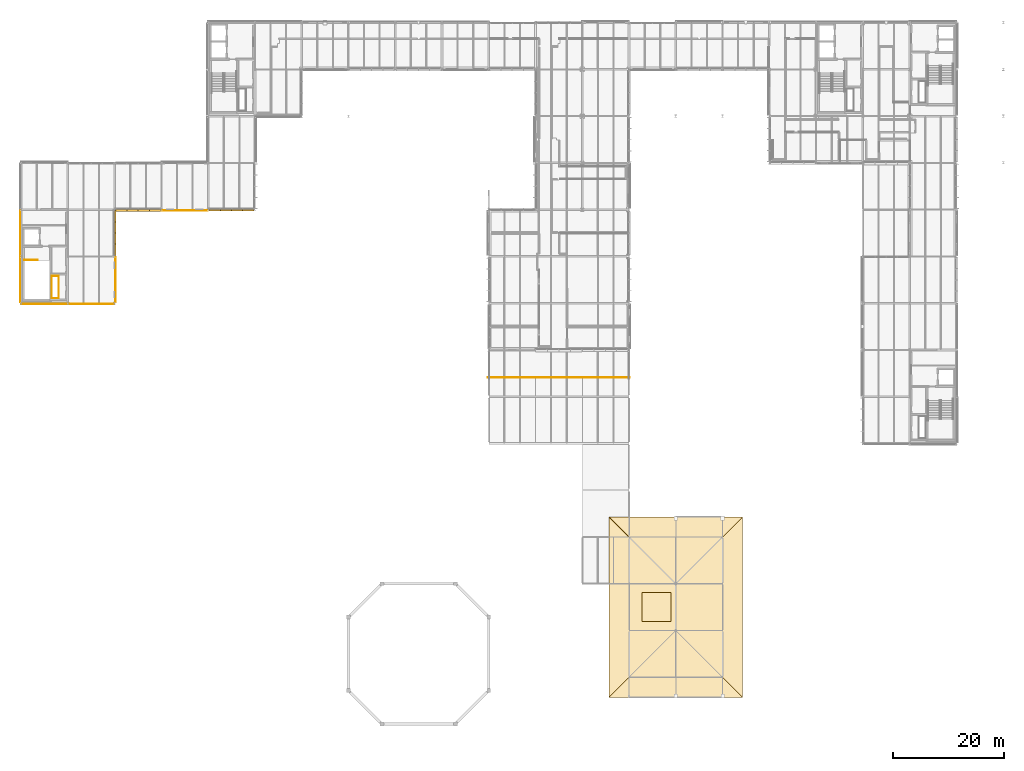
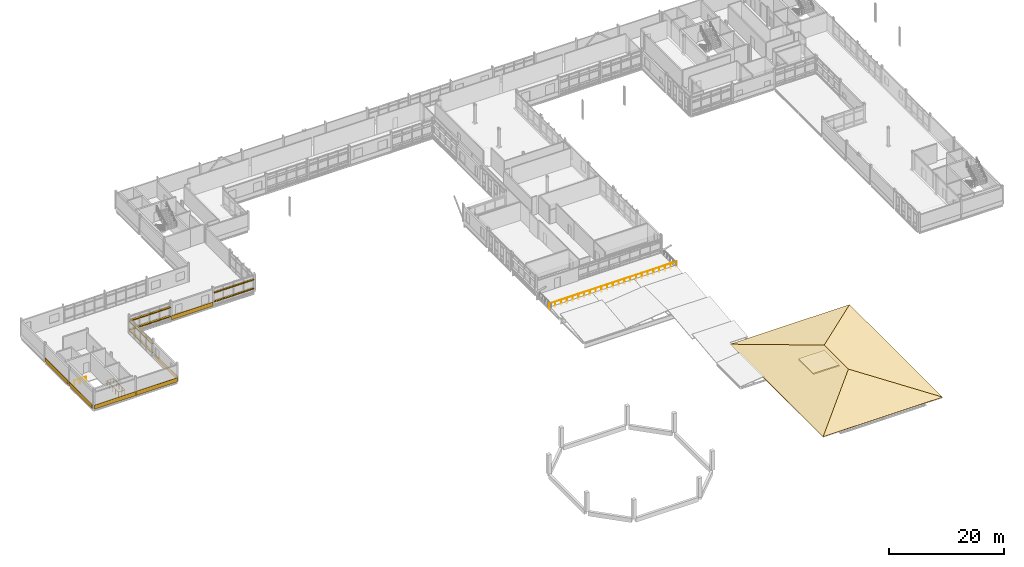
# One storey, part 92 of 103: 24 shading devices, 11 coverings, 3 railings.
"""IFC4 building model written with IfcOpenShell, lengths in metres."""

from ifc_helpers import new_model, si_unit, direction, frame, origin, origin_2d, place, context, subcontext, project, spatial, polyline, rectangle, circle, outline, extrude, material, layer, layer_set, type_object, element, save


model = new_model("IFC4")

# Units and contexts
model_context = context("Model", 3, precision=1e-05, world=origin(), true_north=direction((0.0, 1.0)))
body_context = subcontext(model_context, "Body", "Model", "MODEL_VIEW")
ifc_project = project(units=[si_unit("LENGTHUNIT", "METRE"), si_unit("AREAUNIT", "SQUARE_METRE"), si_unit("VOLUMEUNIT", "CUBIC_METRE"), si_unit("PLANEANGLEUNIT", "RADIAN"), si_unit("MASSUNIT", "GRAM", prefix="KILO")], contexts=[model_context])

# Site, building, storey
site_placement = place(None, origin())
site = spatial("IfcSite", under=ifc_project, at=site_placement, CompositionType="ELEMENT")
building_placement = place(site_placement, origin())
building = spatial("IfcBuilding", under=site, at=building_placement, Name="Mersafa Astral City Hall", CompositionType="ELEMENT")
storey_placement = place(building_placement, frame((0.0, 0.0, 18.0)))
storey = spatial("IfcBuildingStorey", under=building, at=storey_placement, Name="L04", CompositionType="ELEMENT", Elevation=18.0)

# Coverings
ifc_material_1 = material(Name="Cairo Mokattam buff limestone cladding", Category="masonry")
ifc_layer_1 = layer(ifc_material_1, 0.06005859375, Name="Cairo Mokattam buff limestone cladding")
ifc_layer_set_1 = layer_set([ifc_layer_1], Name="Cairo Mokattam buff limestone cladding — ENV-COV-LIMESTONE-60")
covering_type_1 = type_object("IfcCoveringType", Name="ENV-COV-LIMESTONE-60", PredefinedType="CLADDING", material=ifc_layer_set_1)
for number, where, z_axis, x_axis, name in (
    (1, (8.238037109375, 88.199951171875, 0.0), (0.0, 0.0, 1.0), (0.0, -1.0, 0.0), "L04 Cairo buff limestone rainscreen cladding 299"),
    (2, (8.24560546875, 79.800048828125, 0.0), (0.0, 0.0, 1.0), (0.0, -1.0, 0.0), "L04 Cairo buff limestone rainscreen cladding 300"),
):
    element("IfcCovering", number, at=place(storey_placement, frame(where, z_axis=z_axis, x_axis=x_axis)), inside=storey, type_object=covering_type_1, Name=name, PredefinedType="CLADDING", context=body_context, shape_type="SweptSolid", body=[
        extrude(rectangle(XDim=8.048095703125, YDim=0.06005859375, at=origin_2d()), origin(), (0.0, 0.0, 1.0), 0.860107421875),
    ])
for number, where, z_axis, x_axis, name in (
    (3, (12.60009765625, 75.452880859375, 0.0), (0.0, 0.0, 1.0), (1.0, 0.0, 0.0), "L04 Cairo buff limestone rainscreen cladding 301"),
    (4, (21.0, 75.46044921875, 0.0), (0.0, 0.0, 1.0), (1.0, 0.0, 0.0), "L04 Cairo buff limestone rainscreen cladding 302"),
):
    element("IfcCovering", number, at=place(storey_placement, frame(where, z_axis=z_axis, x_axis=x_axis)), inside=storey, type_object=covering_type_1, Name=name, PredefinedType="CLADDING", context=body_context, shape_type="SweptSolid", body=[
        extrude(rectangle(XDim=8.323974609375, YDim=0.06005859375, at=origin_2d()), origin(), (0.0, 0.0, 1.0), 0.860107421875),
    ])
covering_1_placement = place(storey_placement, frame((25.376953125, 79.800048828125, 0.0), z_axis=(0.0, 0.0, 1.0), x_axis=(0.0, 1.0, 0.0)))
element("IfcCovering", 5, at=covering_1_placement, inside=storey, type_object=covering_type_1, Name="L04 Cairo buff limestone rainscreen cladding 303", PredefinedType="CLADDING", context=body_context, shape_type="SweptSolid", body=[
    extrude(rectangle(XDim=8.048095703125, YDim=0.06005859375, at=origin_2d()), origin(), (0.0, 0.0, 1.0), 0.860107421875),
])
covering_2_placement = place(storey_placement, frame((37.800048828125, 92.23046875, 0.0), z_axis=(0.0, 0.0, 1.0), x_axis=(1.0, 0.0, 0.0)))
element("IfcCovering", 6, at=covering_2_placement, inside=storey, type_object=covering_type_1, Name="L04 Cairo buff limestone rainscreen cladding 304", PredefinedType="CLADDING", context=body_context, shape_type="SweptSolid", body=[
    extrude(rectangle(XDim=8.323974609375, YDim=0.06005859375, at=origin_2d()), origin(), (0.0, 0.0, 1.0), 0.860107421875),
])
ifc_material_2 = material(Name="Egyptian ceramic terracotta roof tile", Category="masonry")
ifc_layer_2 = layer(ifc_material_2, 0.054931640625, Name="Egyptian ceramic terracotta roof tile")
ifc_layer_set_2 = layer_set([ifc_layer_2], Name="Egyptian ceramic terracotta roof tile — ENV-COV-TERRACOTTA-55")
covering_type_2 = type_object("IfcCoveringType", Name="ENV-COV-TERRACOTTA-55", PredefinedType="ROOFING", material=ifc_layer_set_2)
for number, where, z_axis, x_axis, name in (
    (7, (114.0, 4.800048828125, 0.052978515625), (0.0, -0.23343879534, 0.972371497335), (1.0, 0.0, 0.0), "L04 Warm terracotta ceramic roof tile covering 19"),
    (8, (138.0, 37.199951171875, 0.052978515625), (0.0, 0.23343879534, 0.972371497335), (-1.0, 0.0, 0.0), "L04 Warm terracotta ceramic roof tile covering 20"),
):
    element("IfcCovering", number, at=place(storey_placement, frame(where, z_axis=z_axis, x_axis=x_axis)), inside=storey, type_object=covering_type_2, Name=name, PredefinedType="ROOFING", context=body_context, shape_type="SweptSolid", body=[
        extrude(outline(polyline([(0.0, 0.0), (24.0, 0.0), (12.0, 12.340962310068262), (0.0, 0.0)])), origin(), (0.0, 0.0, -1.0), 0.054931640625),
    ])
for number, where, z_axis, x_axis, name in (
    (9, (114.0, 37.199951171875, 0.052978515625), (-0.23343879534, 0.0, 0.972371497335), (0.0, -1.0, 0.0), "L04 Warm terracotta ceramic roof tile covering 21"),
    (10, (138.0, 4.800048828125, 0.052978515625), (0.23343879534, 0.0, 0.972371497335), (0.0, 1.0, 0.0), "L04 Warm terracotta ceramic roof tile covering 22"),
):
    element("IfcCovering", number, at=place(storey_placement, frame(where, z_axis=z_axis, x_axis=x_axis)), inside=storey, type_object=covering_type_2, Name=name, PredefinedType="ROOFING", context=body_context, shape_type="SweptSolid", body=[
        extrude(outline(polyline([(0.0, 0.0), (32.39990234375, 0.0), (20.39990234375, 12.340962310068264), (12.0, 12.340962310068264), (0.0, 0.0)])), origin(), (0.0, 0.0, -1.0), 0.054931640625),
    ])

# Railing
ifc_material_3 = material(Name="Anodised bronze steel balustrade with laminated safety infill", Category="steel")
railing_type_1 = type_object("IfcRailingType", Name="ENV-RAIL-TERRACE-1120", PredefinedType="BALUSTRADE", material=ifc_material_3)
railing_1_placement = place(storey_placement, frame((92.260009765625, 62.27001953125, 0.0)))
element("IfcRailing", 11, at=railing_1_placement, inside=storey, type_object=railing_type_1, Name="L04 Terrace perimeter guard balustrade 10", PredefinedType="BALUSTRADE", context=body_context, shape_type="SweptSolid", body=[
    extrude(circle(Radius=0.02392578125, at=origin_2d()), frame((0.0, 0.0, 1.09619140625), z_axis=(1.0, 0.0, 0.0), x_axis=(0.0, 1.0, 0.0)), (0.0, 0.0, 1.0), 25.47998046875),
    extrude(circle(Radius=0.02099609375, at=origin_2d()), origin(), (0.0, 0.0, 1.0), 1.072021484375),
    extrude(circle(Radius=0.02099609375, at=origin_2d()), frame((1.158203125, 0.0, 0.0)), (0.0, 0.0, 1.0), 1.072021484375),
    extrude(circle(Radius=0.02099609375, at=origin_2d()), frame((2.31640625, 0.0, 0.0)), (0.0, 0.0, 1.0), 1.072021484375),
    extrude(circle(Radius=0.02099609375, at=origin_2d()), frame((3.474609375, 0.0, 0.0)), (0.0, 0.0, 1.0), 1.072021484375),
    extrude(circle(Radius=0.02099609375, at=origin_2d()), frame((4.6328125, 0.0, 0.0)), (0.0, 0.0, 1.0), 1.072021484375),
    extrude(circle(Radius=0.02099609375, at=origin_2d()), frame((5.791015625, 0.0, 0.0)), (0.0, 0.0, 1.0), 1.072021484375),
    extrude(circle(Radius=0.02099609375, at=origin_2d()), frame((6.948974609375, 0.0, 0.0)), (0.0, 0.0, 1.0), 1.072021484375),
    extrude(circle(Radius=0.02099609375, at=origin_2d()), frame((8.107177734375, 0.0, 0.0)), (0.0, 0.0, 1.0), 1.072021484375),
    extrude(circle(Radius=0.02099609375, at=origin_2d()), frame((9.265380859375, 0.0, 0.0)), (0.0, 0.0, 1.0), 1.072021484375),
    extrude(circle(Radius=0.02099609375, at=origin_2d()), frame((10.423583984375, 0.0, 0.0)), (0.0, 0.0, 1.0), 1.072021484375),
    extrude(circle(Radius=0.02099609375, at=origin_2d()), frame((11.581787109375, 0.0, 0.0)), (0.0, 0.0, 1.0), 1.072021484375),
    extrude(circle(Radius=0.02099609375, at=origin_2d()), frame((12.739990234375, 0.0, 0.0)), (0.0, 0.0, 1.0), 1.072021484375),
    extrude(circle(Radius=0.02099609375, at=origin_2d()), frame((13.898193359375, 0.0, 0.0)), (0.0, 0.0, 1.0), 1.072021484375),
    extrude(circle(Radius=0.02099609375, at=origin_2d()), frame((15.056396484375, 0.0, 0.0)), (0.0, 0.0, 1.0), 1.072021484375),
    extrude(circle(Radius=0.02099609375, at=origin_2d()), frame((16.214599609375, 0.0, 0.0)), (0.0, 0.0, 1.0), 1.072021484375),
    extrude(circle(Radius=0.02099609375, at=origin_2d()), frame((17.372802734375, 0.0, 0.0)), (0.0, 0.0, 1.0), 1.072021484375),
    extrude(circle(Radius=0.02099609375, at=origin_2d()), frame((18.531005859375, 0.0, 0.0)), (0.0, 0.0, 1.0), 1.072021484375),
    extrude(circle(Radius=0.02099609375, at=origin_2d()), frame((19.68896484375, 0.0, 0.0)), (0.0, 0.0, 1.0), 1.072021484375),
    extrude(circle(Radius=0.02099609375, at=origin_2d()), frame((20.84716796875, 0.0, 0.0)), (0.0, 0.0, 1.0), 1.072021484375),
    extrude(circle(Radius=0.02099609375, at=origin_2d()), frame((22.00537109375, 0.0, 0.0)), (0.0, 0.0, 1.0), 1.072021484375),
    extrude(circle(Radius=0.02099609375, at=origin_2d()), frame((23.16357421875, 0.0, 0.0)), (0.0, 0.0, 1.0), 1.072021484375),
    extrude(circle(Radius=0.02099609375, at=origin_2d()), frame((24.32177734375, 0.0, 0.0)), (0.0, 0.0, 1.0), 1.072021484375),
    extrude(circle(Radius=0.02099609375, at=origin_2d()), frame((25.47998046875, 0.0, 0.0)), (0.0, 0.0, 1.0), 1.072021484375),
])

# Shading devices
ifc_material_4 = material(Name="Kiln-dried cedar timber brise-soleil blade", Category="wood")
shading_device_type_1 = type_object("IfcShadingDeviceType", Name="ENV-SHD-LOUVRE-380", PredefinedType="JALOUSIE", material=ifc_material_4)
shading_device_1_placement = place(storey_placement, frame((25.280029296875, 85.1865234375, 0.81494140625), z_axis=(0.0, 0.0, 1.0), x_axis=(0.0, 1.0, 0.0)))
element("IfcShadingDevice", 12, at=shading_device_1_placement, inside=storey, type_object=shading_device_type_1, Name="L04 Horizontal cedar brise-soleil louvre 1252", PredefinedType="JALOUSIE", context=body_context, shape_type="SweptSolid", body=[
    extrude(rectangle(XDim=2.029052734375, YDim=0.3798828125, at=origin_2d()), origin(), (0.0, 0.0, 1.0), 0.070068359375),
])
for number, where, z_axis, x_axis, name in (
    (13, (25.280029296875, 87.1904296875, 0.81494140625), (0.0, 0.0, 1.0), (0.0, 1.0, 0.0), "L04 Horizontal cedar brise-soleil louvre 1253"),
    (14, (25.280029296875, 89.20947265625, 0.81494140625), (0.0, 0.0, 1.0), (0.0, 1.0, 0.0), "L04 Horizontal cedar brise-soleil louvre 1254"),
):
    element("IfcShadingDevice", number, at=place(storey_placement, frame(where, z_axis=z_axis, x_axis=x_axis)), inside=storey, type_object=shading_device_type_1, Name=name, PredefinedType="JALOUSIE", context=body_context, shape_type="SweptSolid", body=[
        extrude(rectangle(XDim=2.05908203125, YDim=0.3798828125, at=origin_2d()), origin(), (0.0, 0.0, 1.0), 0.070068359375),
    ])
for number, where, z_axis, x_axis, name in (
    (15, (25.280029296875, 91.21337890625, 0.81494140625), (0.0, 0.0, 1.0), (0.0, 1.0, 0.0), "L04 Horizontal cedar brise-soleil louvre 1255"),
    (16, (25.280029296875, 85.1865234375, 2.71484375), (0.0, 0.0, 1.0), (0.0, 1.0, 0.0), "L04 Horizontal cedar brise-soleil louvre 1256"),
):
    element("IfcShadingDevice", number, at=place(storey_placement, frame(where, z_axis=z_axis, x_axis=x_axis)), inside=storey, type_object=shading_device_type_1, Name=name, PredefinedType="JALOUSIE", context=body_context, shape_type="SweptSolid", body=[
        extrude(rectangle(XDim=2.029052734375, YDim=0.3798828125, at=origin_2d()), origin(), (0.0, 0.0, 1.0), 0.070068359375),
    ])
for number, where, z_axis, x_axis, name in (
    (17, (25.280029296875, 87.1904296875, 2.71484375), (0.0, 0.0, 1.0), (0.0, 1.0, 0.0), "L04 Horizontal cedar brise-soleil louvre 1257"),
    (18, (25.280029296875, 89.20947265625, 2.71484375), (0.0, 0.0, 1.0), (0.0, 1.0, 0.0), "L04 Horizontal cedar brise-soleil louvre 1258"),
):
    element("IfcShadingDevice", number, at=place(storey_placement, frame(where, z_axis=z_axis, x_axis=x_axis)), inside=storey, type_object=shading_device_type_1, Name=name, PredefinedType="JALOUSIE", context=body_context, shape_type="SweptSolid", body=[
        extrude(rectangle(XDim=2.05908203125, YDim=0.3798828125, at=origin_2d()), origin(), (0.0, 0.0, 1.0), 0.070068359375),
    ])
for number, where, z_axis, x_axis, name in (
    (19, (25.280029296875, 91.21337890625, 2.71484375), (0.0, 0.0, 1.0), (0.0, 1.0, 0.0), "L04 Horizontal cedar brise-soleil louvre 1259"),
    (20, (43.1865234375, 92.320068359375, 0.81494140625), (0.0, 0.0, 1.0), (1.0, 0.0, 0.0), "L04 Horizontal cedar brise-soleil louvre 1268"),
):
    element("IfcShadingDevice", number, at=place(storey_placement, frame(where, z_axis=z_axis, x_axis=x_axis)), inside=storey, type_object=shading_device_type_1, Name=name, PredefinedType="JALOUSIE", context=body_context, shape_type="SweptSolid", body=[
        extrude(rectangle(XDim=2.029052734375, YDim=0.3798828125, at=origin_2d()), origin(), (0.0, 0.0, 1.0), 0.070068359375),
    ])
for number, where, z_axis, x_axis, name in (
    (21, (45.1904296875, 92.320068359375, 0.81494140625), (0.0, 0.0, 1.0), (1.0, 0.0, 0.0), "L04 Horizontal cedar brise-soleil louvre 1269"),
    (22, (47.20947265625, 92.320068359375, 0.81494140625), (0.0, 0.0, 1.0), (1.0, 0.0, 0.0), "L04 Horizontal cedar brise-soleil louvre 1270"),
):
    element("IfcShadingDevice", number, at=place(storey_placement, frame(where, z_axis=z_axis, x_axis=x_axis)), inside=storey, type_object=shading_device_type_1, Name=name, PredefinedType="JALOUSIE", context=body_context, shape_type="SweptSolid", body=[
        extrude(rectangle(XDim=2.05908203125, YDim=0.3798828125, at=origin_2d()), origin(), (0.0, 0.0, 1.0), 0.070068359375),
    ])
for number, where, z_axis, x_axis, name in (
    (23, (49.21337890625, 92.320068359375, 0.81494140625), (0.0, 0.0, 1.0), (1.0, 0.0, 0.0), "L04 Horizontal cedar brise-soleil louvre 1271"),
    (24, (43.1865234375, 92.320068359375, 2.71484375), (0.0, 0.0, 1.0), (1.0, 0.0, 0.0), "L04 Horizontal cedar brise-soleil louvre 1272"),
):
    element("IfcShadingDevice", number, at=place(storey_placement, frame(where, z_axis=z_axis, x_axis=x_axis)), inside=storey, type_object=shading_device_type_1, Name=name, PredefinedType="JALOUSIE", context=body_context, shape_type="SweptSolid", body=[
        extrude(rectangle(XDim=2.029052734375, YDim=0.3798828125, at=origin_2d()), origin(), (0.0, 0.0, 1.0), 0.070068359375),
    ])
for number, where, z_axis, x_axis, name in (
    (25, (45.1904296875, 92.320068359375, 2.71484375), (0.0, 0.0, 1.0), (1.0, 0.0, 0.0), "L04 Horizontal cedar brise-soleil louvre 1273"),
    (26, (47.20947265625, 92.320068359375, 2.71484375), (0.0, 0.0, 1.0), (1.0, 0.0, 0.0), "L04 Horizontal cedar brise-soleil louvre 1274"),
):
    element("IfcShadingDevice", number, at=place(storey_placement, frame(where, z_axis=z_axis, x_axis=x_axis)), inside=storey, type_object=shading_device_type_1, Name=name, PredefinedType="JALOUSIE", context=body_context, shape_type="SweptSolid", body=[
        extrude(rectangle(XDim=2.05908203125, YDim=0.3798828125, at=origin_2d()), origin(), (0.0, 0.0, 1.0), 0.070068359375),
    ])
shading_device_2_placement = place(storey_placement, frame((49.21337890625, 92.320068359375, 2.71484375), z_axis=(0.0, 0.0, 1.0), x_axis=(1.0, 0.0, 0.0)))
element("IfcShadingDevice", 27, at=shading_device_2_placement, inside=storey, type_object=shading_device_type_1, Name="L04 Horizontal cedar brise-soleil louvre 1275", PredefinedType="JALOUSIE", context=body_context, shape_type="SweptSolid", body=[
    extrude(rectangle(XDim=2.029052734375, YDim=0.3798828125, at=origin_2d()), origin(), (0.0, 0.0, 1.0), 0.070068359375),
])
shading_device_type_2 = type_object("IfcShadingDeviceType", Name="ENV-SHD-LOUVRE-450", PredefinedType="JALOUSIE", material=ifc_material_4)
shading_device_3_placement = place(storey_placement, frame((26.386474609375, 92.284912109375, 0.81005859375), z_axis=(0.0, 0.0, 1.0), x_axis=(1.0, 0.0, 0.0)))
element("IfcShadingDevice", 28, at=shading_device_3_placement, inside=storey, type_object=shading_device_type_2, Name="L04 Horizontal cedar brise-soleil louvre 1260", PredefinedType="JALOUSIE", context=body_context, shape_type="SweptSolid", body=[
    extrude(rectangle(XDim=2.029052734375, YDim=0.449951171875, at=origin_2d()), origin(), (0.0, 0.0, 1.0), 0.080078125),
])
for number, where, z_axis, x_axis, name in (
    (29, (28.390380859375, 92.284912109375, 0.81005859375), (0.0, 0.0, 1.0), (1.0, 0.0, 0.0), "L04 Horizontal cedar brise-soleil louvre 1261"),
    (30, (30.409423828125, 92.284912109375, 0.81005859375), (0.0, 0.0, 1.0), (1.0, 0.0, 0.0), "L04 Horizontal cedar brise-soleil louvre 1262"),
):
    element("IfcShadingDevice", number, at=place(storey_placement, frame(where, z_axis=z_axis, x_axis=x_axis)), inside=storey, type_object=shading_device_type_2, Name=name, PredefinedType="JALOUSIE", context=body_context, shape_type="SweptSolid", body=[
        extrude(rectangle(XDim=2.05908203125, YDim=0.449951171875, at=origin_2d()), origin(), (0.0, 0.0, 1.0), 0.080078125),
    ])
for number, where, z_axis, x_axis, name in (
    (31, (32.41357421875, 92.284912109375, 0.81005859375), (0.0, 0.0, 1.0), (1.0, 0.0, 0.0), "L04 Horizontal cedar brise-soleil louvre 1263"),
    (32, (26.386474609375, 92.284912109375, 2.7099609375), (0.0, 0.0, 1.0), (1.0, 0.0, 0.0), "L04 Horizontal cedar brise-soleil louvre 1264"),
):
    element("IfcShadingDevice", number, at=place(storey_placement, frame(where, z_axis=z_axis, x_axis=x_axis)), inside=storey, type_object=shading_device_type_2, Name=name, PredefinedType="JALOUSIE", context=body_context, shape_type="SweptSolid", body=[
        extrude(rectangle(XDim=2.029052734375, YDim=0.449951171875, at=origin_2d()), origin(), (0.0, 0.0, 1.0), 0.080078125),
    ])
for number, where, z_axis, x_axis, name in (
    (33, (28.390380859375, 92.284912109375, 2.7099609375), (0.0, 0.0, 1.0), (1.0, 0.0, 0.0), "L04 Horizontal cedar brise-soleil louvre 1265"),
    (34, (30.409423828125, 92.284912109375, 2.7099609375), (0.0, 0.0, 1.0), (1.0, 0.0, 0.0), "L04 Horizontal cedar brise-soleil louvre 1266"),
):
    element("IfcShadingDevice", number, at=place(storey_placement, frame(where, z_axis=z_axis, x_axis=x_axis)), inside=storey, type_object=shading_device_type_2, Name=name, PredefinedType="JALOUSIE", context=body_context, shape_type="SweptSolid", body=[
        extrude(rectangle(XDim=2.05908203125, YDim=0.449951171875, at=origin_2d()), origin(), (0.0, 0.0, 1.0), 0.080078125),
    ])
shading_device_4_placement = place(storey_placement, frame((32.41357421875, 92.284912109375, 2.7099609375), z_axis=(0.0, 0.0, 1.0), x_axis=(1.0, 0.0, 0.0)))
element("IfcShadingDevice", 35, at=shading_device_4_placement, inside=storey, type_object=shading_device_type_2, Name="L04 Horizontal cedar brise-soleil louvre 1267", PredefinedType="JALOUSIE", context=body_context, shape_type="SweptSolid", body=[
    extrude(rectangle(XDim=2.029052734375, YDim=0.449951171875, at=origin_2d()), origin(), (0.0, 0.0, 1.0), 0.080078125),
])

# Covering
ifc_material_5 = material(Name="Laminated solar control double skylight glazing", Category="glass")
covering_type_3 = type_object("IfcCoveringType", Name="ENV-SKY-SK-01", PredefinedType="MEMBRANE", material=ifc_material_5)
covering_3_placement = place(storey_placement, frame((122.5, 21.0, 2.880859375), z_axis=(0.0, 0.0, 1.0), x_axis=(1.0, 0.0, 0.0)))
element("IfcCovering", 36, at=covering_3_placement, inside=storey, type_object=covering_type_3, Name="L04 Civic Roof Lantern Skylight 1", PredefinedType="MEMBRANE", context=body_context, shape_type="SweptSolid", body=[
    extrude(rectangle(XDim=5.199951171875, YDim=5.199951171875, at=origin_2d()), origin(), (0.0, 0.0, 1.0), 0.280029296875),
])

# Railings
ifc_material_6 = material(Name="Painted architectural steel stair guard balustrade", Category="steel")
railing_type_2 = type_object("IfcRailingType", Name="GUARD-RAIL", PredefinedType="BALUSTRADE", material=ifc_material_6)
railing_2_placement = place(storey_placement, frame((8.97998046875, 83.35009765625, 0.0)))
element("IfcRailing", 37, at=railing_2_placement, inside=storey, type_object=railing_type_2, Name="L04 ST6 top well guard 1", PredefinedType="BALUSTRADE", context=body_context, shape_type="SweptSolid", body=[
    extrude(circle(Radius=0.02392578125, at=origin_2d()), frame((0.0, 0.0, 1.09619140625), z_axis=(1.0, 0.0, 0.0), x_axis=(0.0, 1.0, 0.0)), (0.0, 0.0, 1.0), 2.360107421875),
    extrude(circle(Radius=0.02099609375, at=origin_2d()), origin(), (0.0, 0.0, 1.0), 1.072021484375),
    extrude(circle(Radius=0.02099609375, at=origin_2d()), frame((1.18017578125, 0.0, 0.0)), (0.0, 0.0, 1.0), 1.072021484375),
    extrude(circle(Radius=0.02099609375, at=origin_2d()), frame((2.360107421875, 0.0, 0.0)), (0.0, 0.0, 1.0), 1.072021484375),
])
railing_3_placement = place(storey_placement, frame((13.89990234375, 76.5, 0.0)))
element("IfcRailing", 38, at=railing_3_placement, inside=storey, type_object=railing_type_2, Name="L04 K6 MEP Riser Shaft Guard", PredefinedType="BALUSTRADE", context=body_context, shape_type="SweptSolid", body=[
    extrude(circle(Radius=0.02392578125, at=origin_2d()), frame((0.0, 0.0, 1.09619140625), z_axis=(1.0, 0.0, 0.0), x_axis=(0.0, 1.0, 0.0)), (0.0, 0.0, 1.0), 1.280029296875),
    extrude(circle(Radius=0.02392578125, at=origin_2d()), frame((1.280029296875, 0.0, 1.09619140625), z_axis=(0.0, 1.0, 0.0), x_axis=(-1.0, 0.0, 0.0)), (0.0, 0.0, 1.0), 4.0),
    extrude(circle(Radius=0.02392578125, at=origin_2d()), frame((1.280029296875, 4.0, 1.09619140625), z_axis=(-1.0, 0.0, 0.0), x_axis=(0.0, -1.0, 0.0)), (0.0, 0.0, 1.0), 1.280029296875),
    extrude(circle(Radius=0.02392578125, at=origin_2d()), frame((0.0, 4.0, 1.09619140625), z_axis=(0.0, -1.0, 0.0), x_axis=(1.0, 0.0, 0.0)), (0.0, 0.0, 1.0), 4.0),
    extrude(circle(Radius=0.02099609375, at=origin_2d()), origin(), (0.0, 0.0, 1.0), 1.072021484375),
    extrude(circle(Radius=0.02099609375, at=origin_2d()), frame((0.64013671875, 0.0, 0.0)), (0.0, 0.0, 1.0), 1.072021484375),
    extrude(circle(Radius=0.02099609375, at=origin_2d()), frame((1.280029296875, 0.0, 0.0)), (0.0, 0.0, 1.0), 1.072021484375),
    extrude(circle(Radius=0.02099609375, at=origin_2d()), frame((1.280029296875, 1.0, 0.0)), (0.0, 0.0, 1.0), 1.072021484375),
    extrude(circle(Radius=0.02099609375, at=origin_2d()), frame((1.280029296875, 2.0, 0.0)), (0.0, 0.0, 1.0), 1.072021484375),
    extrude(circle(Radius=0.02099609375, at=origin_2d()), frame((1.280029296875, 3.0, 0.0)), (0.0, 0.0, 1.0), 1.072021484375),
    extrude(circle(Radius=0.02099609375, at=origin_2d()), frame((1.280029296875, 4.0, 0.0)), (0.0, 0.0, 1.0), 1.072021484375),
    extrude(circle(Radius=0.02099609375, at=origin_2d()), frame((0.64013671875, 4.0, 0.0)), (0.0, 0.0, 1.0), 1.072021484375),
    extrude(circle(Radius=0.02099609375, at=origin_2d()), frame((0.0, 4.0, 0.0)), (0.0, 0.0, 1.0), 1.072021484375),
    extrude(circle(Radius=0.02099609375, at=origin_2d()), frame((0.0, 3.0, 0.0)), (0.0, 0.0, 1.0), 1.072021484375),
    extrude(circle(Radius=0.02099609375, at=origin_2d()), frame((0.0, 2.0, 0.0)), (0.0, 0.0, 1.0), 1.072021484375),
    extrude(circle(Radius=0.02099609375, at=origin_2d()), frame((0.0, 1.0, 0.0)), (0.0, 0.0, 1.0), 1.072021484375),
])

save(model, "model.ifc")
